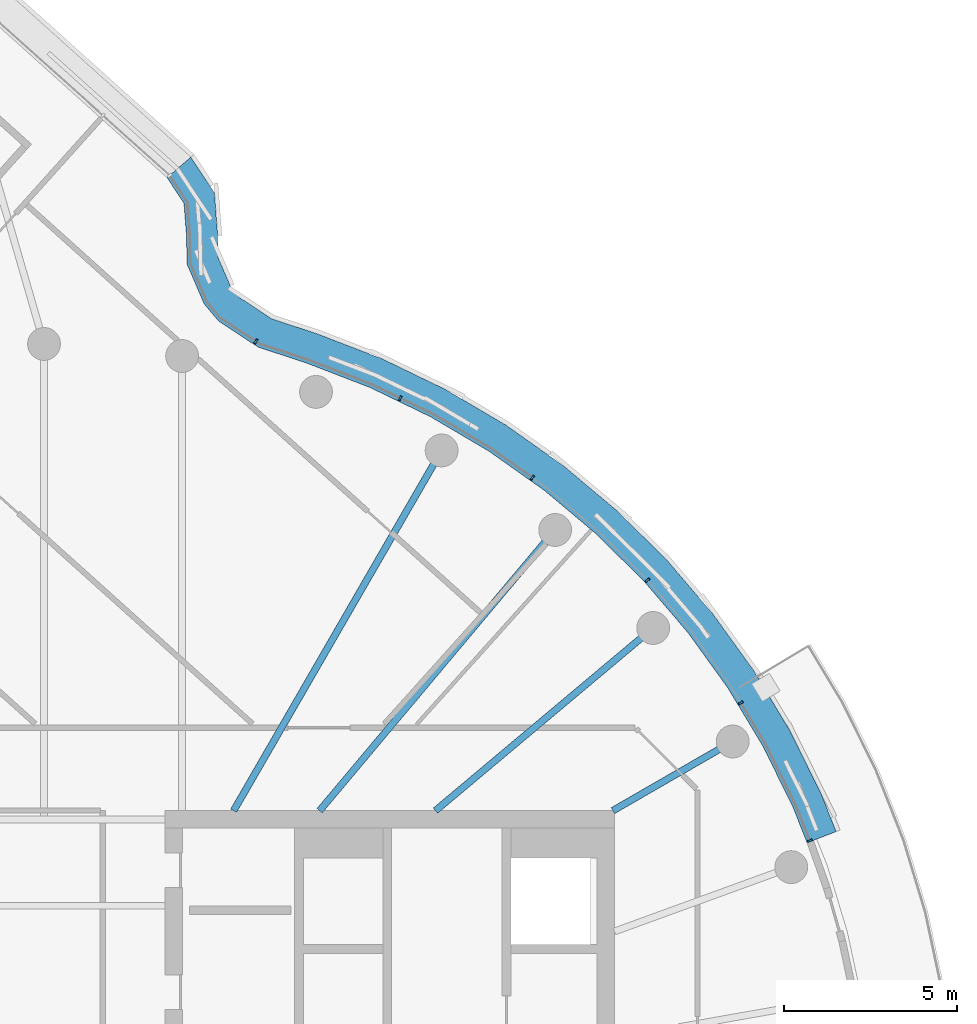
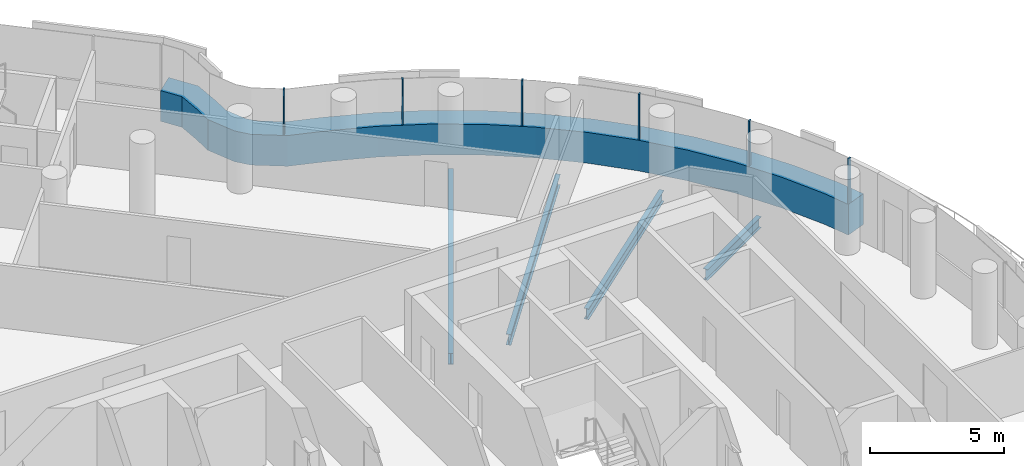
# One storey, part 12 of 31: 7 members, 4 beams, 1 element without a shape of its own.
"""IFC4 building model written with IfcOpenShell, lengths in metres."""

from ifc_helpers import new_model, si_unit, direction, frame, origin, origin_2d, place, context, subcontext, project, spatial, polyline, rectangle, i_section, outline, extrude, material, layer, layer_set, material_profile, profile_set, type_object, element, aggregate, save


model = new_model("IFC4")

# Units and contexts
model_context = context("Model", 3, precision=1e-05, world=origin(), true_north=direction((0.0, 1.0)))
body_context = subcontext(model_context, "Body", "Model", "MODEL_VIEW")
ifc_project = project(units=[si_unit("LENGTHUNIT", "METRE"), si_unit("AREAUNIT", "SQUARE_METRE"), si_unit("VOLUMEUNIT", "CUBIC_METRE"), si_unit("PLANEANGLEUNIT", "RADIAN"), si_unit("MASSUNIT", "GRAM", prefix="KILO")], contexts=[model_context])

# Site, building, storey
site_placement = place(None, origin())
site = spatial("IfcSite", under=ifc_project, at=site_placement, CompositionType="ELEMENT")
building_placement = place(site_placement, origin())
building = spatial("IfcBuilding", under=site, at=building_placement, Name="Tamarind Cross Interchange Tower", CompositionType="ELEMENT")
storey_placement = place(building_placement, frame((0.0, 0.0, 207.699951171875)))
storey = spatial("IfcBuildingStorey", under=building, at=storey_placement, Name="L52", CompositionType="ELEMENT", Elevation=207.699951171875)

# Beams
ifc_material_1 = material(Name="Steel Q355B", Category="steel")
ifc_material_profile_1 = material_profile(ifc_material_1, i_section(OverallWidth=0.198974609375, OverallDepth=0.49609375, WebThickness=0.009033203125, FlangeThickness=0.013916015625, FilletRadius=0.012939453125, at=origin_2d()), Name="HN 496x199x9x14")
ifc_profile_set_1 = profile_set([ifc_material_profile_1], Name="Steel Q355B")
beam_type = type_object("IfcBeamType", Name="Composite beam HN 496x199x9x14 Q355B", PredefinedType="BEAM", material=ifc_profile_set_1)
beam_1_placement = place(storey_placement, frame((19.918701171875, 11.5, -0.387939453125), z_axis=(-0.866026010844, -0.49999894854, 0.0), x_axis=(0.49999894854, -0.866026010844, 0.0)))
element("IfcBeam", 1, at=beam_1_placement, inside=storey, type_object=beam_type, Name="Beam HH03", PredefinedType="BEAM", context=body_context, shape_type="SweptSolid", body=[
    extrude(i_section(OverallWidth=0.198974609375, OverallDepth=0.49609375, WebThickness=0.009033203125, FlangeThickness=0.013916015625, FilletRadius=0.012939453125, at=origin_2d()), origin(), (0.0, 0.0, 1.0), 4.0),
])
beam_2_placement = place(storey_placement, frame((17.619140625, 14.7841796875, -0.387939453125), z_axis=(-0.766040580814, -0.642792212574, 0.0), x_axis=(0.642792212574, -0.766040580814, 0.0)))
element("IfcBeam", 2, at=beam_2_placement, inside=storey, type_object=beam_type, Name="Beam HH04", PredefinedType="BEAM", context=body_context, shape_type="SweptSolid", body=[
    extrude(i_section(OverallWidth=0.198974609375, OverallDepth=0.49609375, WebThickness=0.009033203125, FlangeThickness=0.013916015625, FilletRadius=0.012939453125, at=origin_2d()), origin(), (0.0, 0.0, 1.0), 8.220703125),
])
beam_3_placement = place(storey_placement, frame((14.7841796875, 17.619140625, -0.387939453125), z_axis=(-0.642786293979, -0.766045547127, 0.0), x_axis=(0.766045547127, -0.642786293979, 0.0)))
element("IfcBeam", 3, at=beam_3_placement, inside=storey, type_object=beam_type, Name="Beam HH05", PredefinedType="BEAM", context=body_context, shape_type="SweptSolid", body=[
    extrude(i_section(OverallWidth=0.198974609375, OverallDepth=0.49609375, WebThickness=0.009033203125, FlangeThickness=0.013916015625, FilletRadius=0.012939453125, at=origin_2d()), origin(), (0.0, 0.0, 1.0), 10.598876953125),
])
beam_4_placement = place(storey_placement, frame((11.5, 19.918701171875, -0.387939453125), z_axis=(-0.499993565836, -0.866029118519, 0.0), x_axis=(0.866029118519, -0.499993565836, 0.0)))
element("IfcBeam", 4, at=beam_4_placement, inside=storey, type_object=beam_type, Name="Beam HH06", PredefinedType="BEAM", context=body_context, shape_type="SweptSolid", body=[
    extrude(i_section(OverallWidth=0.198974609375, OverallDepth=0.49609375, WebThickness=0.009033203125, FlangeThickness=0.013916015625, FilletRadius=0.012939453125, at=origin_2d()), origin(), (0.0, 0.0, 1.0), 12.030517578125),
])

# Curtain wall, members
ifc_material_2 = material(Name="Aluminium 6063-T6", Category="aluminium")
ifc_layer = layer(ifc_material_2, 0.139892578125)
ifc_layer_set = layer_set([ifc_layer], Name="Aluminium 6063-T6")
curtain_wall_type = type_object("IfcCurtainWallType", Name="Hotel curtain wall, 4.5 m bays", PredefinedType="NOTDEFINED", material=ifc_layer_set)
curtain_wall_placement = place(storey_placement, origin())
curtain_wall = element("IfcCurtainWall", 5, at=curtain_wall_placement, inside=storey, type_object=curtain_wall_type, Name="CWS-L52-06", PredefinedType="NOTDEFINED")
ifc_material_3 = material(Name="Aluminium and insulated spandrel panel", Category="aluminium")
member_type_1 = type_object("IfcMemberType", Name="Floor-edge blade transom", PredefinedType="USERDEFINED", material=ifc_material_3)
member_1_placement = place(storey_placement, origin())
member_1 = element("IfcMember", 6, at=member_1_placement, type_object=member_type_1, Name="CWT-L52-06-1", ObjectType="TRANSOM", PredefinedType="USERDEFINED", context=body_context, shape_type="SweptSolid", body=[
    extrude(outline(polyline([(22.071044921875, 8.568603515625), (21.65869140625, 9.61181640625), (20.791015625, 11.367431640625), (19.78125, 13.045654296875), (18.636474609375, 14.634521484375), (17.3642578125, 16.12353515625), (15.973388671875, 17.50244140625), (14.4736328125, 18.76171875), (12.874755859375, 19.892822265625), (11.188232421875, 20.88818359375), (9.425048828125, 21.74072265625), (7.5927734375, 22.446533203125), (6.193359375, 22.907958984375), (5.048095703125, 23.660400390625), (4.629638671875, 24.15966796875), (4.14013671875, 25.299560546875), (4.118408203125, 26.15087890625), (4.04833984375, 27.06884765625), (3.557373046875, 27.810791015625), (4.24462890625, 28.4033203125), (4.927978515625, 27.370361328125), (5.017578125, 26.196533203125), (5.035400390625, 25.49560546875), (5.404296875, 24.636474609375), (5.65283203125, 24.340087890625), (6.588134765625, 23.7255859375), (7.895751953125, 23.294189453125), (9.783203125, 22.567138671875), (11.613525390625, 21.68212890625), (13.3642578125, 20.64892578125), (15.023681640625, 19.474853515625), (16.580810546875, 18.167724609375), (18.0244140625, 16.736572265625), (19.344970703125, 15.19091796875), (20.533203125, 13.54150390625), (21.581298828125, 11.799560546875), (22.482177734375, 9.97705078125), (22.909912109375, 8.894287109375), (22.071044921875, 8.568603515625)])), origin(), (0.0, 0.0, 1.0), 1.400146484375),
])
ifc_material_profile_2 = material_profile(ifc_material_2, rectangle(XDim=0.06005859375, YDim=0.139892578125, at=origin_2d()), Name="Mullion CW2")
ifc_profile_set_2 = profile_set([ifc_material_profile_2], Name="Aluminium 6063-T6")
member_type_2 = type_object("IfcMemberType", Name="Mullion CW2", PredefinedType="MULLION", material=ifc_profile_set_2)
member_2_placement = place(storey_placement, frame((22.1533203125, 8.63232421875, 1.400146484375), z_axis=(0.0, 0.0, 1.0), x_axis=(-0.367513773146, 0.930018078613, 0.0)))
member_2 = element("IfcMember", 7, at=member_2_placement, type_object=member_type_2, Name="CWM-L52-06-08", PredefinedType="MULLION", context=body_context, shape_type="SweptSolid", body=[
    extrude(rectangle(XDim=0.06005859375, YDim=0.139892578125, at=origin_2d()), origin(), (0.0, 0.0, 1.0), 2.059814453125),
])
member_3_placement = place(storey_placement, frame((20.155029296875, 12.6181640625, 1.400146484375), z_axis=(0.0, 0.0, 1.0), x_axis=(-0.515577308909, 0.856843065292, 0.0)))
member_3 = element("IfcMember", 8, at=member_3_placement, type_object=member_type_2, Name="CWM-L52-06-09", PredefinedType="MULLION", context=body_context, shape_type="SweptSolid", body=[
    extrude(rectangle(XDim=0.06005859375, YDim=0.139892578125, at=origin_2d()), origin(), (0.0, 0.0, 1.0), 2.059814453125),
])
member_4_placement = place(storey_placement, frame((17.456787109375, 16.169189453125, 1.400146484375), z_axis=(0.0, 0.0, 1.0), x_axis=(-0.64957723968, 0.760295606781, 0.0)))
member_4 = element("IfcMember", 9, at=member_4_placement, type_object=member_type_2, Name="CWM-L52-06-10", PredefinedType="MULLION", context=body_context, shape_type="SweptSolid", body=[
    extrude(rectangle(XDim=0.06005859375, YDim=0.139892578125, at=origin_2d()), origin(), (0.0, 0.0, 1.0), 2.059814453125),
])
member_5_placement = place(storey_placement, frame((14.12353515625, 19.1318359375, 1.400146484375), z_axis=(0.0, 0.0, 1.0), x_axis=(-0.816341886298, 0.577568978284, 0.0)))
member_5 = element("IfcMember", 10, at=member_5_placement, type_object=member_type_2, Name="CWM-L52-06-11", PredefinedType="MULLION", context=body_context, shape_type="SweptSolid", body=[
    extrude(rectangle(XDim=0.06005859375, YDim=0.139892578125, at=origin_2d()), origin(), (0.0, 0.0, 1.0), 2.059814453125),
])
member_6_placement = place(storey_placement, frame((10.30126953125, 21.427978515625, 1.400146484375), z_axis=(0.0, 0.0, 1.0), x_axis=(-0.900272776334, 0.435326231914, 0.0)))
member_6 = element("IfcMember", 11, at=member_6_placement, type_object=member_type_2, Name="CWM-L52-06-12", PredefinedType="MULLION", context=body_context, shape_type="SweptSolid", body=[
    extrude(rectangle(XDim=0.06005859375, YDim=0.139892578125, at=origin_2d()), origin(), (0.0, 0.0, 1.0), 2.059814453125),
])
member_7_placement = place(storey_placement, frame((6.125, 23.072509765625, 1.400146484375), z_axis=(0.0, 0.0, 1.0), x_axis=(-0.835753158715, 0.549105324776, 0.0)))
member_7 = element("IfcMember", 12, at=member_7_placement, type_object=member_type_2, Name="CWM-L52-06-13", PredefinedType="MULLION", context=body_context, shape_type="SweptSolid", body=[
    extrude(rectangle(XDim=0.06005859375, YDim=0.139892578125, at=origin_2d()), origin(), (0.0, 0.0, 1.0), 2.059814453125),
])
aggregate(curtain_wall, [member_2, member_3, member_4, member_5, member_6, member_7, member_1])

save(model, "model.ifc")
